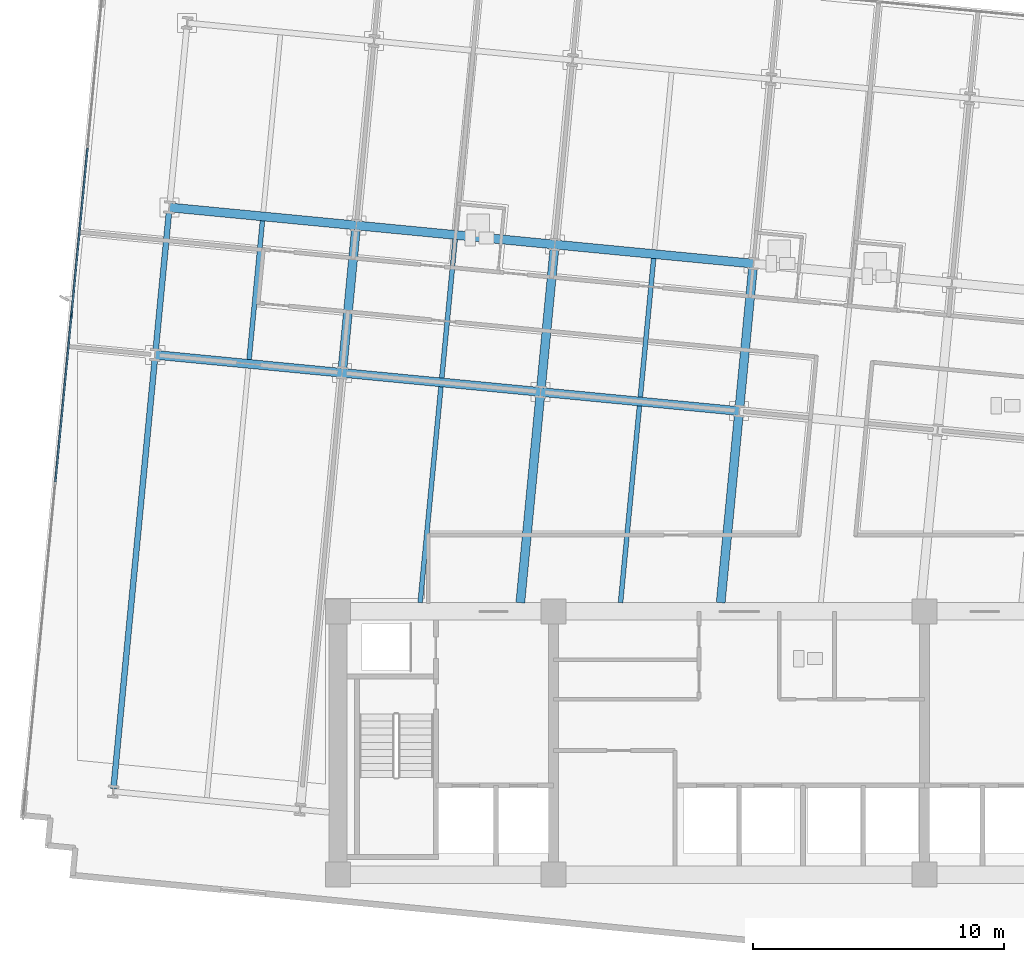
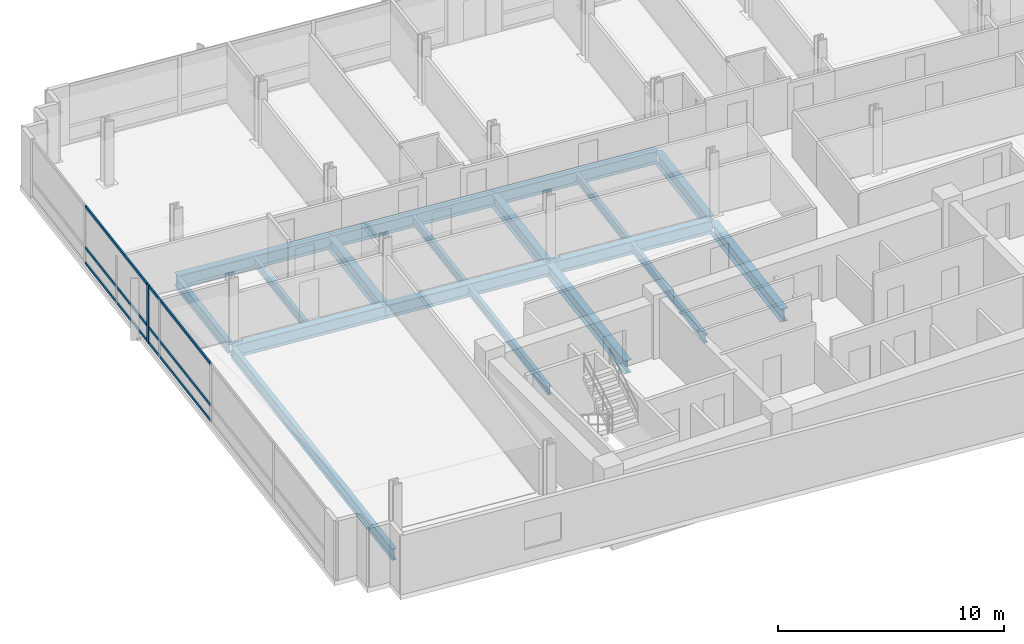
# One storey, part 4 of 17: 18 beams, 7 members, 1 element without a shape of its own.
"""IFC4 building model written with IfcOpenShell, lengths in metres."""

import ifcopenshell
import ifcopenshell.guid

model = None  # the IFC model being written
_history = None  # IfcOwnerHistory: only IFC2X3 demands one
_inside = {}  # id of a spatial element -> (the spatial element, [elements in it])
_under = {}  # id of a project, library or spatial element -> (it, [spatial elements below it])
_declared = {}  # id of a project -> (the project, [libraries it declares])
_typed = {}  # id of a type object -> (the type object, [elements of that type])
_made_of = {}  # id of a material, layer set ... -> (it, [elements and type objects made of it])


def new_model(schema):
    """Start an empty IFC model of exactly this schema.

    Asked for "IFC4X3", IfcOpenShell would pick the latest addendum, in which some entities
    have other attributes; the version numbers below select the first issue.
    IFC2X3 requires an IfcOwnerHistory on every rooted entity: one is made here for all.
    """
    global model, _history
    if schema == "IFC4X3":
        model = ifcopenshell.file(schema_version=(4, 3, 0, 0))
    else:
        model = ifcopenshell.file(schema=schema)
    _inside.clear()
    _under.clear()
    _declared.clear()
    _typed.clear()
    _made_of.clear()
    _history = None
    if model.schema == "IFC2X3":
        org = make("IfcOrganization", Name="unknown")
        user = make(
            "IfcPersonAndOrganization",
            ThePerson=make("IfcPerson", FamilyName="unknown"),
            TheOrganization=org,
        )
        app = make(
            "IfcApplication",
            ApplicationDeveloper=org,
            Version="unknown",
            ApplicationFullName="unknown",
            ApplicationIdentifier="unknown",
        )
        _history = make(
            "IfcOwnerHistory",
            OwningUser=user,
            OwningApplication=app,
            ChangeAction="ADDED",
            CreationDate=0,
        )
    return model


def make(cls, **values):
    """One entity of the class cls with the attributes given. An attribute that is None is left unset."""
    return model.create_entity(
        cls, **{name: value for name, value in values.items() if value is not None}
    )


def rooted(cls, **values):
    """An entity with a GlobalId (a new one), such as an element, a storey or a relation."""
    return make(cls, GlobalId=ifcopenshell.guid.new(), OwnerHistory=_history, **values)


def si_unit(unit_type, name, prefix=None):
    """IfcSIUnit, for example si_unit("LENGTHUNIT", "METRE", prefix="MILLI")."""
    return make("IfcSIUnit", UnitType=unit_type, Prefix=prefix, Name=name)


def assignment(units):
    """IfcUnitAssignment: the units of a project."""
    return None if units is None else make("IfcUnitAssignment", Units=units)


def point(xyz):
    """IfcCartesianPoint."""
    return None if xyz is None else make("IfcCartesianPoint", Coordinates=xyz)


def direction(xyz):
    """IfcDirection."""
    return None if xyz is None else make("IfcDirection", DirectionRatios=xyz)


def frame(location, z_axis=None, x_axis=None):
    """IfcAxis2Placement3D, a coordinate frame: its origin and axes. An axis left out is left unset."""
    return make(
        "IfcAxis2Placement3D",
        Location=point(location),
        Axis=direction(z_axis),
        RefDirection=direction(x_axis),
    )


def frame_2d(location, x_axis=None):
    """IfcAxis2Placement2D, a coordinate frame in the plane: its origin and x axis."""
    return make(
        "IfcAxis2Placement2D", Location=point(location), RefDirection=direction(x_axis)
    )


def origin():
    """The frame at (0, 0, 0) with its axes left unset."""
    return frame((0.0, 0.0, 0.0))


def origin_2d():
    """The frame at (0, 0) in the plane with its x axis left unset."""
    return frame_2d((0.0, 0.0))


def place(relative_to, where):
    """IfcLocalPlacement: puts the frame where relative to a parent placement (None: the world)."""
    return make(
        "IfcLocalPlacement", PlacementRelTo=relative_to, RelativePlacement=where
    )


def context(
    kind, dimensions, precision=None, world=None, true_north=None, identifier=None
):
    """IfcGeometricRepresentationContext, for example the 3D "Model" context."""
    return make(
        "IfcGeometricRepresentationContext",
        ContextIdentifier=identifier,
        ContextType=kind,
        CoordinateSpaceDimension=dimensions,
        Precision=precision,
        WorldCoordinateSystem=world,
        TrueNorth=true_north,
    )


def subcontext(parent, identifier, kind, view, scale=None):
    """IfcGeometricRepresentationSubContext, for example "Body" below "Model"."""
    return make(
        "IfcGeometricRepresentationSubContext",
        ContextIdentifier=identifier,
        ContextType=kind,
        ParentContext=parent,
        TargetScale=scale,
        TargetView=view,
    )


def project(units=None, contexts=None):
    """IfcProject with its units and contexts."""
    return rooted(
        "IfcProject",
        Name="project",
        RepresentationContexts=contexts,
        UnitsInContext=assignment(units),
    )


def spatial(cls, under=None, at=None, **own):
    """A site, building, storey or space (cls), placed at a placement, below another one or the project."""
    s = rooted(cls, ObjectPlacement=at, **own)
    if under is not None:
        _under.setdefault(under.id(), (under, []))[1].append(s)
    return s


def profile(cls, at=None, kind="AREA", **sizes):
    """A parametric profile (cls). Its sizes go by their IFC names, for example OverallWidth=200.0."""
    return make(cls, ProfileType=kind, Position=at, **sizes)


def rectangle(**sizes):
    """IfcRectangleProfileDef."""
    return profile("IfcRectangleProfileDef", **sizes)


def i_section(**sizes):
    """IfcIShapeProfileDef."""
    return profile("IfcIShapeProfileDef", **sizes)


def extrude(swept, where, along, depth):
    """IfcExtrudedAreaSolid: the profile swept, set in the frame where, extruded along a direction by depth."""
    return make(
        "IfcExtrudedAreaSolid",
        SweptArea=swept,
        Position=where,
        ExtrudedDirection=direction(along),
        Depth=depth,
    )


def shape(context_of_items, identifier, shape_type, items):
    """IfcShapeRepresentation: the items that make up one representation, for example the "Body"."""
    return make(
        "IfcShapeRepresentation",
        ContextOfItems=context_of_items,
        RepresentationIdentifier=identifier,
        RepresentationType=shape_type,
        Items=items,
    )


def material(Name=None, Category=None):
    """IfcMaterial."""
    return make("IfcMaterial", Name=Name, Category=Category)


def material_profile(
    of_material, cross_section, Name=None, Category=None, Priority=None
):
    """IfcMaterialProfile: a cross section and its material."""
    return make(
        "IfcMaterialProfile",
        Name=Name,
        Material=of_material,
        Profile=cross_section,
        Priority=Priority,
        Category=Category,
    )


def profile_set(profiles, Name=None, composite=None):
    """IfcMaterialProfileSet."""
    return make(
        "IfcMaterialProfileSet",
        Name=Name,
        MaterialProfiles=profiles,
        CompositeProfile=composite,
    )


def made_of(thing, what):
    """Note that an element or type object is made of a material, layer set ...; save() writes the relation."""
    if what is not None:
        _made_of.setdefault(what.id(), (what, []))[1].append(thing)
    return thing


def type_object(cls, material=None, **own):
    """A type object (cls), such as IfcWallType, which elements share."""
    return made_of(rooted(cls, **own), material)


def element(
    cls,
    number,
    at=None,
    inside=None,
    cuts=None,
    type_object=None,
    material=None,
    context=None,
    identifier="Body",
    shape_type=None,
    held_by="IfcProductDefinitionShape",
    body=None,
    shapes=None,
    **own,
):
    """One element of the class cls, such as IfcWall. Its Tag is "e" and its number.

    at: its placement. inside: the storey or other place that contains it. cuts: it is an
    opening in that element (IfcRelVoidsElement). A single representation is given by context,
    identifier, shape_type and body (its items); several are given by shapes. held_by: the class
    of the entity that holds the representations. save() writes the other relations.
    """
    e = rooted(cls, Tag="e%d" % number, ObjectPlacement=at, **own)
    if body is not None:
        shapes = [shape(context, identifier, shape_type, body)]
    if shapes is not None:
        e.Representation = make(held_by, Representations=shapes)
    if inside is not None:
        _inside.setdefault(inside.id(), (inside, []))[1].append(e)
    if cuts is not None:
        rooted(
            "IfcRelVoidsElement", RelatingBuildingElement=cuts, RelatedOpeningElement=e
        )
    if type_object is not None:
        _typed.setdefault(type_object.id(), (type_object, []))[1].append(e)
    return made_of(e, material)


def aggregate(whole, parts):
    """IfcRelAggregates: a whole, such as a stair, and the parts it consists of."""
    return rooted("IfcRelAggregates", RelatingObject=whole, RelatedObjects=parts)


def save(model, path):
    """Write the relations noted so far, then the file.

    IfcRelAggregates (storeys below a building ...), IfcRelContainedInSpatialStructure (elements
    in a storey), IfcRelDefinesByType, IfcRelAssociatesMaterial and IfcRelDeclares: one each for
    every whole, place, type object, material and project.
    """
    for whole, parts in _under.values():
        aggregate(whole, parts)
    for where, things in _inside.values():
        rooted(
            "IfcRelContainedInSpatialStructure",
            RelatedElements=things,
            RelatingStructure=where,
        )
    for kind, things in _typed.values():
        rooted("IfcRelDefinesByType", RelatedObjects=things, RelatingType=kind)
    for what, things in _made_of.values():
        rooted("IfcRelAssociatesMaterial", RelatedObjects=things, RelatingMaterial=what)
    for by, libraries in _declared.values():
        rooted("IfcRelDeclares", RelatingContext=by, RelatedDefinitions=libraries)
    model.write(path)


model = new_model("IFC4")

# Units and contexts
model_context = context("Model", 3, precision=1e-05, world=origin(), true_north=direction((0.0, 1.0)))
body_context = subcontext(model_context, "Body", "Model", "MODEL_VIEW")
ifc_project = project(units=[si_unit("LENGTHUNIT", "METRE"), si_unit("AREAUNIT", "SQUARE_METRE"), si_unit("VOLUMEUNIT", "CUBIC_METRE"), si_unit("PLANEANGLEUNIT", "RADIAN"), si_unit("MASSUNIT", "GRAM", prefix="KILO")], contexts=[model_context])

# Site, building, storey
site_placement = place(None, origin())
site = spatial("IfcSite", under=ifc_project, at=site_placement, CompositionType="ELEMENT")
building_placement = place(site_placement, origin())
building = spatial("IfcBuilding", under=site, at=building_placement, Name="Solmavex Isthmus Hotel", CompositionType="ELEMENT")
storey_placement = place(building_placement, frame((0.0, 0.0, 170.39990234375)))
storey = spatial("IfcBuildingStorey", under=building, at=storey_placement, Name="L46", CompositionType="ELEMENT", Elevation=170.39990234375)

# Beams
ifc_material_1 = material(Name="Steel ASTM A992 Grade 50", Category="steel")
ifc_material_profile_1 = material_profile(ifc_material_1, i_section(OverallWidth=0.354736328125, OverallDepth=0.695556640625, WebThickness=0.015380859375, FlangeThickness=0.02490234375, FilletRadius=0.017822265625, at=origin_2d()), Name="W27X146")
ifc_profile_set_1 = profile_set([ifc_material_profile_1], Name="Steel ASTM A992 Grade 50")
beam_type_1 = type_object("IfcBeamType", Name="BM-BG-W27X146", PredefinedType="BEAM", material=ifc_profile_set_1)
beam_1_placement = place(storey_placement, frame((-23.291015625, 7.733154296875, -0.607666015625), z_axis=(0.995395279593, -0.095855293875, 0.0), x_axis=(0.095855293875, 0.995395279593, 0.0)))
element("IfcBeam", 1, at=beam_1_placement, inside=storey, type_object=beam_type_1, Name="Floor Girder L46-UG03", PredefinedType="BEAM", context=body_context, shape_type="SweptSolid", body=[
    extrude(i_section(OverallWidth=0.354736328125, OverallDepth=0.695556640625, WebThickness=0.015380859375, FlangeThickness=0.02490234375, FilletRadius=0.017822265625, at=origin_2d()), origin(), (0.0, 0.0, 1.0), 7.488037109375),
])
beam_2_placement = place(storey_placement, frame((-15.83740234375, 7.015380859375, -0.607666015625), z_axis=(0.995397158178, -0.095835783981, 0.0), x_axis=(0.095835783981, 0.995397158178, 0.0)))
element("IfcBeam", 2, at=beam_2_placement, inside=storey, type_object=beam_type_1, Name="Floor Girder L46-UG04", PredefinedType="BEAM", context=body_context, shape_type="SweptSolid", body=[
    extrude(i_section(OverallWidth=0.354736328125, OverallDepth=0.695556640625, WebThickness=0.015380859375, FlangeThickness=0.02490234375, FilletRadius=0.017822265625, at=origin_2d()), origin(), (0.0, 0.0, 1.0), 7.955810546875),
])
beam_3_placement = place(storey_placement, frame((-7.918212890625, 6.2529296875, -0.607666015625), z_axis=(0.995394512348, -0.095863260885, 0.0), x_axis=(0.095863260885, 0.995394512348, 0.0)))
element("IfcBeam", 3, at=beam_3_placement, inside=storey, type_object=beam_type_1, Name="Floor Girder L46-UG05", PredefinedType="BEAM", context=body_context, shape_type="SweptSolid", body=[
    extrude(i_section(OverallWidth=0.354736328125, OverallDepth=0.695556640625, WebThickness=0.015380859375, FlangeThickness=0.02490234375, FilletRadius=0.017822265625, at=origin_2d()), origin(), (0.0, 0.0, 1.0), 7.9560546875),
])
beam_4_placement = place(storey_placement, frame((-22.724853515625, 13.614013671875, -0.607666015625), z_axis=(0.995395279593, -0.095855293875, 0.0), x_axis=(0.095855293875, 0.995395279593, 0.0)))
element("IfcBeam", 4, at=beam_4_placement, inside=storey, type_object=beam_type_1, Name="Floor Girder L46-UG09", PredefinedType="BEAM", context=body_context, shape_type="SweptSolid", body=[
    extrude(i_section(OverallWidth=0.354736328125, OverallDepth=0.695556640625, WebThickness=0.015380859375, FlangeThickness=0.02490234375, FilletRadius=0.017822265625, at=origin_2d()), origin(), (0.0, 0.0, 1.0), 7.488037109375),
])
for number, where, z_axis, x_axis, name in (
    (5, (-15.271240234375, 12.896240234375, -0.607666015625), (0.995397440011, -0.095832856685, 0.0), (0.095832856685, 0.995397440011, 0.0), "Floor Girder L46-UG10"),
    (6, (-7.351806640625, 12.1337890625, -0.607666015625), (0.995394512348, -0.095863260885, 0.0), (0.095863260885, 0.995394512348, 0.0), "Floor Girder L46-UG11"),
):
    element("IfcBeam", number, at=place(storey_placement, frame(where, z_axis=z_axis, x_axis=x_axis)), inside=storey, type_object=beam_type_1, Name=name, PredefinedType="BEAM", context=body_context, shape_type="SweptSolid", body=[
        extrude(i_section(OverallWidth=0.354736328125, OverallDepth=0.695556640625, WebThickness=0.015380859375, FlangeThickness=0.02490234375, FilletRadius=0.017822265625, at=origin_2d()), origin(), (0.0, 0.0, 1.0), 7.9560546875),
    ])
beam_5_placement = place(storey_placement, frame((-15.820556640625, 7.19189453125, -0.607666015625), z_axis=(0.095838058801, 0.995396939158, 0.0), x_axis=(-0.995396939158, 0.095838058801, 0.0)))
element("IfcBeam", 7, at=beam_5_placement, inside=storey, type_object=beam_type_1, Name="Floor Beam L46-VG25", PredefinedType="BEAM", context=body_context, shape_type="SweptSolid", body=[
    extrude(i_section(OverallWidth=0.354736328125, OverallDepth=0.695556640625, WebThickness=0.015380859375, FlangeThickness=0.02490234375, FilletRadius=0.017822265625, at=origin_2d()), origin(), (0.0, 0.0, 1.0), 5.553466796875),
])
beam_6_placement = place(storey_placement, frame((-8.727294921875, -2.14990234375, -0.607666015625), z_axis=(0.095861573524, 0.995394674851, 0.0), x_axis=(-0.995394674851, 0.095861573524, 0.0)))
element("IfcBeam", 8, at=beam_6_placement, inside=storey, type_object=beam_type_1, Name="Floor Beam L46-VG27", PredefinedType="BEAM", context=body_context, shape_type="SweptSolid", body=[
    extrude(i_section(OverallWidth=0.354736328125, OverallDepth=0.695556640625, WebThickness=0.015380859375, FlangeThickness=0.02490234375, FilletRadius=0.017822265625, at=origin_2d()), origin(), (0.0, 0.0, 1.0), 8.264404296875),
])
beam_7_placement = place(storey_placement, frame((-7.901123046875, 6.429443359375, -0.607666015625), z_axis=(0.095842252862, 0.99539653534, 0.0), x_axis=(-0.99539653534, 0.095842252862, 0.0)))
element("IfcBeam", 9, at=beam_7_placement, inside=storey, type_object=beam_type_1, Name="Floor Beam L46-VG28", PredefinedType="BEAM", context=body_context, shape_type="SweptSolid", body=[
    extrude(i_section(OverallWidth=0.354736328125, OverallDepth=0.695556640625, WebThickness=0.015380859375, FlangeThickness=0.02490234375, FilletRadius=0.017822265625, at=origin_2d()), origin(), (0.0, 0.0, 1.0), 5.55322265625),
])
beam_8_placement = place(storey_placement, frame((-0.734375, -2.14990234375, -0.607666015625), z_axis=(0.095856963455, 0.995395118813, 0.0), x_axis=(-0.995395118813, 0.095856963455, 0.0)))
element("IfcBeam", 10, at=beam_8_placement, inside=storey, type_object=beam_type_1, Name="Floor Beam L46-VG30", PredefinedType="BEAM", context=body_context, shape_type="SweptSolid", body=[
    extrude(i_section(OverallWidth=0.354736328125, OverallDepth=0.695556640625, WebThickness=0.015380859375, FlangeThickness=0.02490234375, FilletRadius=0.017822265625, at=origin_2d()), origin(), (0.0, 0.0, 1.0), 7.498046875),
])
beam_9_placement = place(storey_placement, frame((0.018310546875, 5.6669921875, -0.607666015625), z_axis=(0.095842252862, 0.99539653534, 0.0), x_axis=(-0.99539653534, 0.095842252862, 0.0)))
element("IfcBeam", 11, at=beam_9_placement, inside=storey, type_object=beam_type_1, Name="Floor Beam L46-VG31", PredefinedType="BEAM", context=body_context, shape_type="SweptSolid", body=[
    extrude(i_section(OverallWidth=0.354736328125, OverallDepth=0.695556640625, WebThickness=0.015380859375, FlangeThickness=0.02490234375, FilletRadius=0.017822265625, at=origin_2d()), origin(), (0.0, 0.0, 1.0), 5.55322265625),
])
ifc_material_profile_2 = material_profile(ifc_material_1, i_section(OverallWidth=0.1904296875, OverallDepth=0.456787109375, WebThickness=0.009033203125, FlangeThickness=0.014404296875, FilletRadius=0.0126953125, at=origin_2d()), Name="W18X50")
ifc_profile_set_2 = profile_set([ifc_material_profile_2], Name="Steel ASTM A992 Grade 50")
beam_type_2 = type_object("IfcBeamType", Name="BM-BJ-W18X50", PredefinedType="JOIST", material=ifc_profile_set_2)
beam_10_placement = place(storey_placement, frame((-19.547119140625, 7.55078125, -0.48828125), z_axis=(0.095842252862, 0.99539653534, 0.0), x_axis=(-0.99539653534, 0.095842252862, 0.0)))
element("IfcBeam", 12, at=beam_10_placement, inside=storey, type_object=beam_type_2, Name="Secondary Floor Joist L46-J02", PredefinedType="JOIST", context=body_context, shape_type="SweptSolid", body=[
    extrude(i_section(OverallWidth=0.1904296875, OverallDepth=0.456787109375, WebThickness=0.009033203125, FlangeThickness=0.014404296875, FilletRadius=0.0126953125, at=origin_2d()), origin(), (0.0, 0.0, 1.0), 5.55322265625),
])
beam_11_placement = place(storey_placement, frame((-12.7236328125, -2.14990234375, -0.48828125), z_axis=(0.095852279322, 0.995395569886, 0.0), x_axis=(-0.995395569886, 0.095852279322, 0.0)))
element("IfcBeam", 13, at=beam_11_placement, inside=storey, type_object=beam_type_2, Name="Secondary Floor Joist L46-J04", PredefinedType="JOIST", context=body_context, shape_type="SweptSolid", body=[
    extrude(i_section(OverallWidth=0.1904296875, OverallDepth=0.456787109375, WebThickness=0.009033203125, FlangeThickness=0.014404296875, FilletRadius=0.0126953125, at=origin_2d()), origin(), (0.0, 0.0, 1.0), 8.647216796875),
])
beam_12_placement = place(storey_placement, frame((-11.86083984375, 6.810791015625, -0.48828125), z_axis=(0.095842252862, 0.99539653534, 0.0), x_axis=(-0.99539653534, 0.095842252862, 0.0)))
element("IfcBeam", 14, at=beam_12_placement, inside=storey, type_object=beam_type_2, Name="Secondary Floor Joist L46-J05", PredefinedType="JOIST", context=body_context, shape_type="SweptSolid", body=[
    extrude(i_section(OverallWidth=0.1904296875, OverallDepth=0.456787109375, WebThickness=0.009033203125, FlangeThickness=0.014404296875, FilletRadius=0.0126953125, at=origin_2d()), origin(), (0.0, 0.0, 1.0), 5.55322265625),
])
beam_13_placement = place(storey_placement, frame((-4.730712890625, -2.14990234375, -0.48828125), z_axis=(0.09584403416, 0.995396363825, 0.0), x_axis=(-0.995396363825, 0.09584403416, 0.0)))
element("IfcBeam", 15, at=beam_13_placement, inside=storey, type_object=beam_type_2, Name="Secondary Floor Joist L46-J07", PredefinedType="JOIST", context=body_context, shape_type="SweptSolid", body=[
    extrude(i_section(OverallWidth=0.1904296875, OverallDepth=0.456787109375, WebThickness=0.009033203125, FlangeThickness=0.014404296875, FilletRadius=0.0126953125, at=origin_2d()), origin(), (0.0, 0.0, 1.0), 7.88134765625),
])
beam_14_placement = place(storey_placement, frame((-3.94140625, 6.048095703125, -0.48828125), z_axis=(0.095838058801, 0.995396939158, 0.0), x_axis=(-0.995396939158, 0.095838058801, 0.0)))
element("IfcBeam", 16, at=beam_14_placement, inside=storey, type_object=beam_type_2, Name="Secondary Floor Joist L46-J08", PredefinedType="JOIST", context=body_context, shape_type="SweptSolid", body=[
    extrude(i_section(OverallWidth=0.1904296875, OverallDepth=0.456787109375, WebThickness=0.009033203125, FlangeThickness=0.014404296875, FilletRadius=0.0126953125, at=origin_2d()), origin(), (0.0, 0.0, 1.0), 5.553466796875),
])
ifc_material_profile_3 = material_profile(ifc_material_1, i_section(OverallWidth=0.230224609375, OverallDepth=0.617431640625, WebThickness=0.01318359375, FlangeThickness=0.022216796875, FilletRadius=0.01513671875, at=origin_2d()), Name="W24X94")
ifc_profile_set_3 = profile_set([ifc_material_profile_3], Name="Steel ASTM A992 Grade 50")
beam_type_3 = type_object("IfcBeamType", Name="BM-SP-W24X94", PredefinedType="SPANDREL", material=ifc_profile_set_3)
beam_15_placement = place(storey_placement, frame((-24.957275390625, -9.571533203125, -0.568603515625), z_axis=(0.095840821687, 0.99539667314, 0.0), x_axis=(-0.99539667314, 0.095840821687, 0.0)))
element("IfcBeam", 17, at=beam_15_placement, inside=storey, type_object=beam_type_3, Name="Floor Beam L46-VG21", PredefinedType="SPANDREL", context=body_context, shape_type="SweptSolid", body=[
    extrude(i_section(OverallWidth=0.230224609375, OverallDepth=0.617431640625, WebThickness=0.01318359375, FlangeThickness=0.022216796875, FilletRadius=0.01513671875, at=origin_2d()), origin(), (0.0, 0.0, 1.0), 17.207275390625),
])
beam_16_placement = place(storey_placement, frame((-23.27392578125, 7.90966796875, -0.568603515625), z_axis=(0.095842252862, 0.99539653534, 0.0), x_axis=(-0.99539653534, 0.095842252862, 0.0)))
element("IfcBeam", 18, at=beam_16_placement, inside=storey, type_object=beam_type_3, Name="Floor Beam L46-VG22", PredefinedType="SPANDREL", context=body_context, shape_type="SweptSolid", body=[
    extrude(i_section(OverallWidth=0.230224609375, OverallDepth=0.617431640625, WebThickness=0.01318359375, FlangeThickness=0.022216796875, FilletRadius=0.01513671875, at=origin_2d()), origin(), (0.0, 0.0, 1.0), 5.55322265625),
])

# Curtain wall, members
ifc_material_2 = material(Name="Aluminium alloy 6063-T6", Category="aluminium")
curtain_wall_type = type_object("IfcCurtainWallType", Name="CW-SYS-03", PredefinedType="NOTDEFINED", material=ifc_material_2)
curtain_wall_placement = place(storey_placement, origin())
curtain_wall = element("IfcCurtainWall", 19, at=curtain_wall_placement, inside=storey, type_object=curtain_wall_type, Name="Stick Curtain Wall CWL-L46-W1", PredefinedType="NOTDEFINED")
ifc_material_profile_4 = material_profile(ifc_material_2, rectangle(XDim=0.070068359375, YDim=0.179931640625, at=origin_2d()), Name="CWM-70X180")
ifc_profile_set_4 = profile_set([ifc_material_profile_4], Name="Aluminium alloy 6063-T6")
member_type_1 = type_object("IfcMemberType", Name="CW-SYS-03-MUL", PredefinedType="MULLION", material=ifc_profile_set_4)
member_1_placement = place(storey_placement, frame((-26.63427734375, 9.32080078125, 0.0), z_axis=(0.0, 0.0, 1.0), x_axis=(-0.995396190038, 0.09584583902, 0.0)))
member_1 = element("IfcMember", 20, at=member_1_placement, type_object=member_type_1, Name="CW-03 mullion 4", PredefinedType="MULLION", context=body_context, shape_type="SweptSolid", body=[
    extrude(rectangle(XDim=0.070068359375, YDim=0.179931640625, at=origin_2d()), origin(), (0.0, 0.0, 1.0), 3.190185546875),
])
ifc_material_profile_5 = material_profile(ifc_material_2, rectangle(XDim=0.070068359375, YDim=0.139892578125, at=origin_2d()), Name="CWT-70X140")
ifc_profile_set_5 = profile_set([ifc_material_profile_5], Name="Aluminium alloy 6063-T6")
member_type_2 = type_object("IfcMemberType", Name="CW-SYS-03-TRN", PredefinedType="USERDEFINED", material=ifc_profile_set_5)
member_2_placement = place(storey_placement, frame((-27.27490234375, 2.666748046875, 0.070068359375), z_axis=(0.095857212138, 0.995395094865, 0.0), x_axis=(-0.995395094865, 0.095857212138, 0.0)))
member_2 = element("IfcMember", 21, at=member_2_placement, type_object=member_type_2, Name="CW-03 transom 3.1", ObjectType="TRANSOM", PredefinedType="USERDEFINED", context=body_context, shape_type="SweptSolid", body=[
    extrude(rectangle(XDim=0.070068359375, YDim=0.139892578125, at=origin_2d()), origin(), (0.0, 0.0, 1.0), 6.64990234375),
])
member_3_placement = place(storey_placement, frame((-27.27490234375, 2.666748046875, 0.900146484375), z_axis=(0.095857212138, 0.995395094865, 0.0), x_axis=(-0.995395094865, 0.095857212138, 0.0)))
member_3 = element("IfcMember", 22, at=member_3_placement, type_object=member_type_2, Name="CW-03 transom 3.2", ObjectType="TRANSOM", PredefinedType="USERDEFINED", context=body_context, shape_type="SweptSolid", body=[
    extrude(rectangle(XDim=0.070068359375, YDim=0.139892578125, at=origin_2d()), origin(), (0.0, 0.0, 1.0), 6.64990234375),
])
member_4_placement = place(storey_placement, frame((-27.27490234375, 2.666748046875, 3.1201171875), z_axis=(0.095857212138, 0.995395094865, 0.0), x_axis=(-0.995395094865, 0.095857212138, 0.0)))
member_4 = element("IfcMember", 23, at=member_4_placement, type_object=member_type_2, Name="CW-03 transom 3.3", ObjectType="TRANSOM", PredefinedType="USERDEFINED", context=body_context, shape_type="SweptSolid", body=[
    extrude(rectangle(XDim=0.070068359375, YDim=0.139892578125, at=origin_2d()), origin(), (0.0, 0.0, 1.0), 6.64990234375),
])
member_5_placement = place(storey_placement, frame((-26.630859375, 9.355712890625, 0.070068359375), z_axis=(0.095857212138, 0.995395094865, 0.0), x_axis=(-0.995395094865, 0.095857212138, 0.0)))
member_5 = element("IfcMember", 24, at=member_5_placement, type_object=member_type_2, Name="CW-03 transom 4.1", ObjectType="TRANSOM", PredefinedType="USERDEFINED", context=body_context, shape_type="SweptSolid", body=[
    extrude(rectangle(XDim=0.070068359375, YDim=0.139892578125, at=origin_2d()), origin(), (0.0, 0.0, 1.0), 6.64990234375),
])
member_6_placement = place(storey_placement, frame((-26.630859375, 9.355712890625, 0.900146484375), z_axis=(0.095857212138, 0.995395094865, 0.0), x_axis=(-0.995395094865, 0.095857212138, 0.0)))
member_6 = element("IfcMember", 25, at=member_6_placement, type_object=member_type_2, Name="CW-03 transom 4.2", ObjectType="TRANSOM", PredefinedType="USERDEFINED", context=body_context, shape_type="SweptSolid", body=[
    extrude(rectangle(XDim=0.070068359375, YDim=0.139892578125, at=origin_2d()), origin(), (0.0, 0.0, 1.0), 6.64990234375),
])
member_7_placement = place(storey_placement, frame((-26.630859375, 9.355712890625, 3.1201171875), z_axis=(0.095857212138, 0.995395094865, 0.0), x_axis=(-0.995395094865, 0.095857212138, 0.0)))
member_7 = element("IfcMember", 26, at=member_7_placement, type_object=member_type_2, Name="CW-03 transom 4.3", ObjectType="TRANSOM", PredefinedType="USERDEFINED", context=body_context, shape_type="SweptSolid", body=[
    extrude(rectangle(XDim=0.070068359375, YDim=0.139892578125, at=origin_2d()), origin(), (0.0, 0.0, 1.0), 6.64990234375),
])
aggregate(curtain_wall, [member_1, member_2, member_3, member_4, member_5, member_6, member_7])

save(model, "model.ifc")
